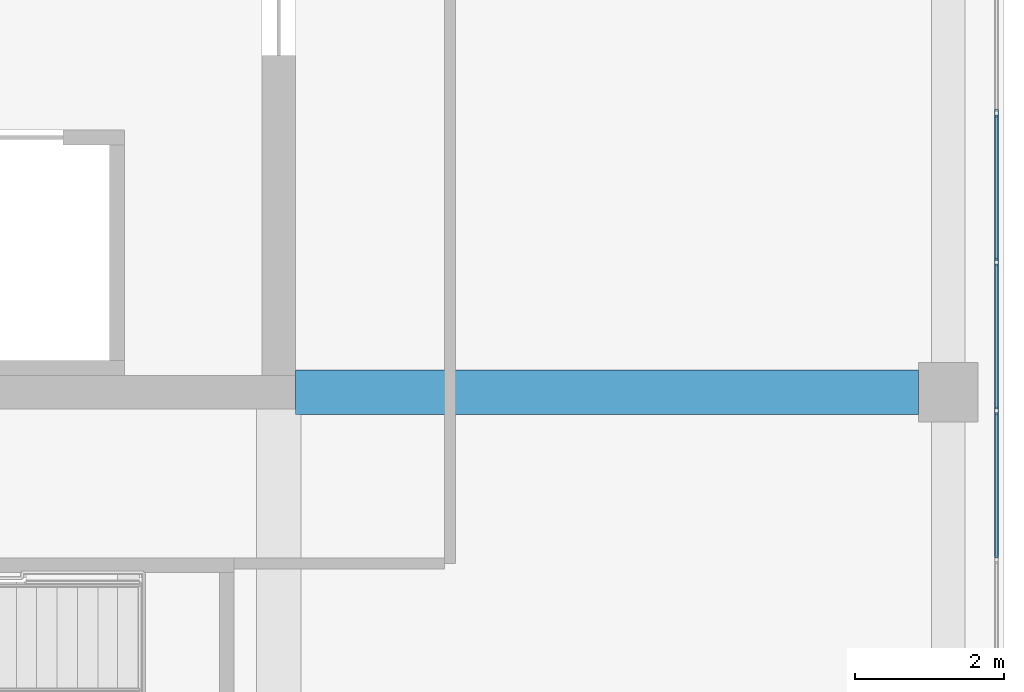
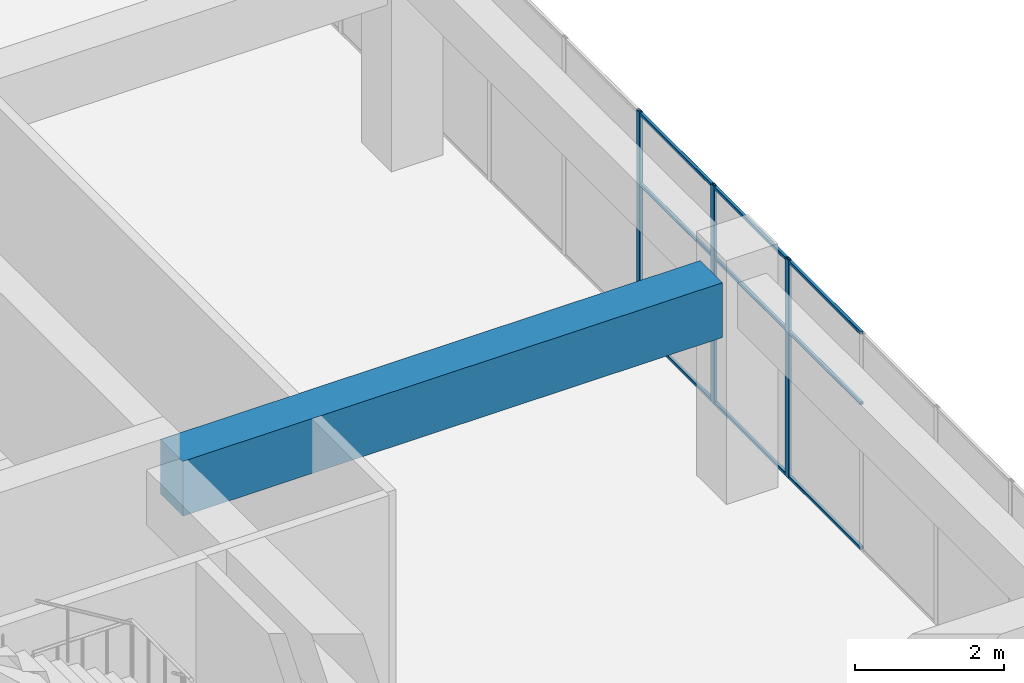
# One storey, part 47 of 72: 12 members, 1 beam, 1 element without a shape of its own.
"""IFC4 building model written with IfcOpenShell, lengths in metres."""

from ifc_helpers import new_model, si_unit, direction, frame, origin, origin_2d, place, context, subcontext, project, spatial, rectangle, hollow_rectangle, extrude, material, layer, layer_set, material_profile, profile_set, type_object, element, aggregate, save


model = new_model("IFC4")

# Units and contexts
model_context = context("Model", 3, precision=1e-05, world=origin(), true_north=direction((0.0, 1.0)))
body_context = subcontext(model_context, "Body", "Model", "MODEL_VIEW")
ifc_project = project(units=[si_unit("LENGTHUNIT", "METRE"), si_unit("AREAUNIT", "SQUARE_METRE"), si_unit("VOLUMEUNIT", "CUBIC_METRE"), si_unit("PLANEANGLEUNIT", "RADIAN"), si_unit("MASSUNIT", "GRAM", prefix="KILO")], contexts=[model_context])

# Site, building, storey
site_placement = place(None, origin())
site = spatial("IfcSite", under=ifc_project, at=site_placement, CompositionType="ELEMENT")
building_placement = place(site_placement, origin())
building = spatial("IfcBuilding", under=site, at=building_placement, Name="Tuart Plaza Theatre", CompositionType="ELEMENT")
storey_placement = place(building_placement, frame((0.0, 0.0, 13.5)))
storey = spatial("IfcBuildingStorey", under=building, at=storey_placement, Name="L03", CompositionType="ELEMENT", Elevation=13.5)

# Beam
ifc_material_1 = material(Name="Concrete N40 (40 MPa)", Category="concrete")
ifc_material_profile_1 = material_profile(ifc_material_1, rectangle(XDim=0.60009765625, YDim=0.89990234375, at=origin_2d()), Name="BEAM 600x900 Concrete N40 (40 MPa)")
ifc_profile_set_1 = profile_set([ifc_material_profile_1], Name="Concrete N40 (40 MPa)")
beam_type = type_object("IfcBeamType", Name="BEAM 600x900 Concrete N40 (40 MPa)", PredefinedType="BEAM", material=ifc_profile_set_1)
beam_placement = place(storey_placement, frame((141.22509765625, 65.0, 3.1298828125), z_axis=(1.0, 0.0, 0.0), x_axis=(0.0, 1.0, 0.0)))
element("IfcBeam", 1, at=beam_placement, inside=storey, type_object=beam_type, Name="RB194", PredefinedType="BEAM", context=body_context, shape_type="SweptSolid", body=[
    extrude(rectangle(XDim=0.60009765625, YDim=0.89990234375, at=origin_2d()), origin(), (0.0, 0.0, 1.0), 8.375),
])

# Curtain wall, members
ifc_material_2 = material(Name="Aluminium and glass", Category="aluminium")
ifc_layer = layer(ifc_material_2, 0.10009765625)
ifc_layer_set = layer_set([ifc_layer], Name="CURTAIN WALL 2000 module")
curtain_wall_type = type_object("IfcCurtainWallType", Name="CURTAIN WALL 2000 module", PredefinedType="NOTDEFINED", material=ifc_layer_set)
curtain_wall_placement = place(storey_placement, origin())
curtain_wall = element("IfcCurtainWall", 2, at=curtain_wall_placement, inside=storey, type_object=curtain_wall_type, Name="CW69", PredefinedType="NOTDEFINED")
ifc_material_3 = material(Name="Aluminium 6063-T5", Category="aluminium")
ifc_material_profile_2 = material_profile(ifc_material_3, hollow_rectangle(XDim=0.050048828125, YDim=0.10009765625, WallThickness=0.00390625, InnerFilletRadius=0.00390625, OuterFilletRadius=0.008056640625, at=origin_2d()), Name="RHS 100x50x4")
ifc_profile_set_2 = profile_set([ifc_material_profile_2], Name="Aluminium 6063-T5")
member_type_1 = type_object("IfcMemberType", Name="MULLION RHS 100x50x4", PredefinedType="MULLION", material=ifc_profile_set_2)
member_1_placement = place(storey_placement, frame((150.64990234375, 64.75, 0.0), z_axis=(0.0, 0.0, 1.0), x_axis=(-1.0, 0.0, 0.0)))
member_1 = element("IfcMember", 3, at=member_1_placement, type_object=member_type_1, Name="CW69 mullion 8", PredefinedType="MULLION", context=body_context, shape_type="SweptSolid", body=[
    extrude(hollow_rectangle(XDim=0.050048828125, YDim=0.10009765625, WallThickness=0.00390625, InnerFilletRadius=0.00390625, OuterFilletRadius=0.008056640625, at=origin_2d()), origin(), (0.0, 0.0, 1.0), 3.580078125),
])
member_2_placement = place(storey_placement, frame((150.64990234375, 66.75, 0.0), z_axis=(0.0, 0.0, 1.0), x_axis=(-1.0, 0.0, 0.0)))
member_2 = element("IfcMember", 4, at=member_2_placement, type_object=member_type_1, Name="CW69 mullion 9", PredefinedType="MULLION", context=body_context, shape_type="SweptSolid", body=[
    extrude(hollow_rectangle(XDim=0.050048828125, YDim=0.10009765625, WallThickness=0.00390625, InnerFilletRadius=0.00390625, OuterFilletRadius=0.008056640625, at=origin_2d()), origin(), (0.0, 0.0, 1.0), 3.580078125),
])
member_3_placement = place(storey_placement, frame((150.64990234375, 68.75, 0.0), z_axis=(0.0, 0.0, 1.0), x_axis=(-1.0, 0.0, 0.0)))
member_3 = element("IfcMember", 5, at=member_3_placement, type_object=member_type_1, Name="CW69 mullion 10", PredefinedType="MULLION", context=body_context, shape_type="SweptSolid", body=[
    extrude(hollow_rectangle(XDim=0.050048828125, YDim=0.10009765625, WallThickness=0.00390625, InnerFilletRadius=0.00390625, OuterFilletRadius=0.008056640625, at=origin_2d()), origin(), (0.0, 0.0, 1.0), 3.580078125),
])
ifc_material_4 = material(Name="Aluminium 6063-T5", Category="aluminium")
ifc_material_profile_3 = material_profile(ifc_material_4, hollow_rectangle(XDim=0.050048828125, YDim=0.050048828125, WallThickness=0.00390625, InnerFilletRadius=0.00390625, OuterFilletRadius=0.008056640625, at=origin_2d()), Name="RHS 50x50x4")
ifc_profile_set_3 = profile_set([ifc_material_profile_3], Name="Aluminium 6063-T5")
member_type_2 = type_object("IfcMemberType", Name="TRANSOM RHS 50x50x4", PredefinedType="USERDEFINED", material=ifc_profile_set_3)
member_4_placement = place(storey_placement, frame((150.64990234375, 62.77490234375, 0.02490234375), z_axis=(0.0, 1.0, 0.0), x_axis=(-1.0, 0.0, 0.0)))
member_4 = element("IfcMember", 6, at=member_4_placement, type_object=member_type_2, Name="CW69 transom 7.1", ObjectType="TRANSOM", PredefinedType="USERDEFINED", context=body_context, shape_type="SweptSolid", body=[
    extrude(hollow_rectangle(XDim=0.050048828125, YDim=0.050048828125, WallThickness=0.00390625, InnerFilletRadius=0.00390625, OuterFilletRadius=0.008056640625, at=origin_2d()), origin(), (0.0, 0.0, 1.0), 1.9501953125),
])
member_5_placement = place(storey_placement, frame((150.64990234375, 62.77490234375, 2.39990234375), z_axis=(0.0, 1.0, 0.0), x_axis=(-1.0, 0.0, 0.0)))
member_5 = element("IfcMember", 7, at=member_5_placement, type_object=member_type_2, Name="CW69 transom 7.2", ObjectType="TRANSOM", PredefinedType="USERDEFINED", context=body_context, shape_type="SweptSolid", body=[
    extrude(hollow_rectangle(XDim=0.050048828125, YDim=0.050048828125, WallThickness=0.00390625, InnerFilletRadius=0.00390625, OuterFilletRadius=0.008056640625, at=origin_2d()), origin(), (0.0, 0.0, 1.0), 1.9501953125),
])
member_6_placement = place(storey_placement, frame((150.64990234375, 62.77490234375, 3.554931640625), z_axis=(0.0, 1.0, 0.0), x_axis=(-1.0, 0.0, 0.0)))
member_6 = element("IfcMember", 8, at=member_6_placement, type_object=member_type_2, Name="CW69 transom 7.3", ObjectType="TRANSOM", PredefinedType="USERDEFINED", context=body_context, shape_type="SweptSolid", body=[
    extrude(hollow_rectangle(XDim=0.050048828125, YDim=0.050048828125, WallThickness=0.00390625, InnerFilletRadius=0.00390625, OuterFilletRadius=0.008056640625, at=origin_2d()), origin(), (0.0, 0.0, 1.0), 1.9501953125),
])
member_7_placement = place(storey_placement, frame((150.64990234375, 64.77490234375, 0.02490234375), z_axis=(0.0, 1.0, 0.0), x_axis=(-1.0, 0.0, 0.0)))
member_7 = element("IfcMember", 9, at=member_7_placement, type_object=member_type_2, Name="CW69 transom 8.1", ObjectType="TRANSOM", PredefinedType="USERDEFINED", context=body_context, shape_type="SweptSolid", body=[
    extrude(hollow_rectangle(XDim=0.050048828125, YDim=0.050048828125, WallThickness=0.00390625, InnerFilletRadius=0.00390625, OuterFilletRadius=0.008056640625, at=origin_2d()), origin(), (0.0, 0.0, 1.0), 1.9501953125),
])
member_8_placement = place(storey_placement, frame((150.64990234375, 64.77490234375, 2.39990234375), z_axis=(0.0, 1.0, 0.0), x_axis=(-1.0, 0.0, 0.0)))
member_8 = element("IfcMember", 10, at=member_8_placement, type_object=member_type_2, Name="CW69 transom 8.2", ObjectType="TRANSOM", PredefinedType="USERDEFINED", context=body_context, shape_type="SweptSolid", body=[
    extrude(hollow_rectangle(XDim=0.050048828125, YDim=0.050048828125, WallThickness=0.00390625, InnerFilletRadius=0.00390625, OuterFilletRadius=0.008056640625, at=origin_2d()), origin(), (0.0, 0.0, 1.0), 1.9501953125),
])
member_9_placement = place(storey_placement, frame((150.64990234375, 64.77490234375, 3.554931640625), z_axis=(0.0, 1.0, 0.0), x_axis=(-1.0, 0.0, 0.0)))
member_9 = element("IfcMember", 11, at=member_9_placement, type_object=member_type_2, Name="CW69 transom 8.3", ObjectType="TRANSOM", PredefinedType="USERDEFINED", context=body_context, shape_type="SweptSolid", body=[
    extrude(hollow_rectangle(XDim=0.050048828125, YDim=0.050048828125, WallThickness=0.00390625, InnerFilletRadius=0.00390625, OuterFilletRadius=0.008056640625, at=origin_2d()), origin(), (0.0, 0.0, 1.0), 1.9501953125),
])
member_10_placement = place(storey_placement, frame((150.64990234375, 66.77490234375, 0.02490234375), z_axis=(0.0, 1.0, 0.0), x_axis=(-1.0, 0.0, 0.0)))
member_10 = element("IfcMember", 12, at=member_10_placement, type_object=member_type_2, Name="CW69 transom 9.1", ObjectType="TRANSOM", PredefinedType="USERDEFINED", context=body_context, shape_type="SweptSolid", body=[
    extrude(hollow_rectangle(XDim=0.050048828125, YDim=0.050048828125, WallThickness=0.00390625, InnerFilletRadius=0.00390625, OuterFilletRadius=0.008056640625, at=origin_2d()), origin(), (0.0, 0.0, 1.0), 1.9501953125),
])
member_11_placement = place(storey_placement, frame((150.64990234375, 66.77490234375, 2.39990234375), z_axis=(0.0, 1.0, 0.0), x_axis=(-1.0, 0.0, 0.0)))
member_11 = element("IfcMember", 13, at=member_11_placement, type_object=member_type_2, Name="CW69 transom 9.2", ObjectType="TRANSOM", PredefinedType="USERDEFINED", context=body_context, shape_type="SweptSolid", body=[
    extrude(hollow_rectangle(XDim=0.050048828125, YDim=0.050048828125, WallThickness=0.00390625, InnerFilletRadius=0.00390625, OuterFilletRadius=0.008056640625, at=origin_2d()), origin(), (0.0, 0.0, 1.0), 1.9501953125),
])
member_12_placement = place(storey_placement, frame((150.64990234375, 66.77490234375, 3.554931640625), z_axis=(0.0, 1.0, 0.0), x_axis=(-1.0, 0.0, 0.0)))
member_12 = element("IfcMember", 14, at=member_12_placement, type_object=member_type_2, Name="CW69 transom 9.3", ObjectType="TRANSOM", PredefinedType="USERDEFINED", context=body_context, shape_type="SweptSolid", body=[
    extrude(hollow_rectangle(XDim=0.050048828125, YDim=0.050048828125, WallThickness=0.00390625, InnerFilletRadius=0.00390625, OuterFilletRadius=0.008056640625, at=origin_2d()), origin(), (0.0, 0.0, 1.0), 1.9501953125),
])
aggregate(curtain_wall, [member_1, member_2, member_3, member_4, member_5, member_6, member_7, member_8, member_9, member_10, member_11, member_12])

save(model, "model.ifc")
